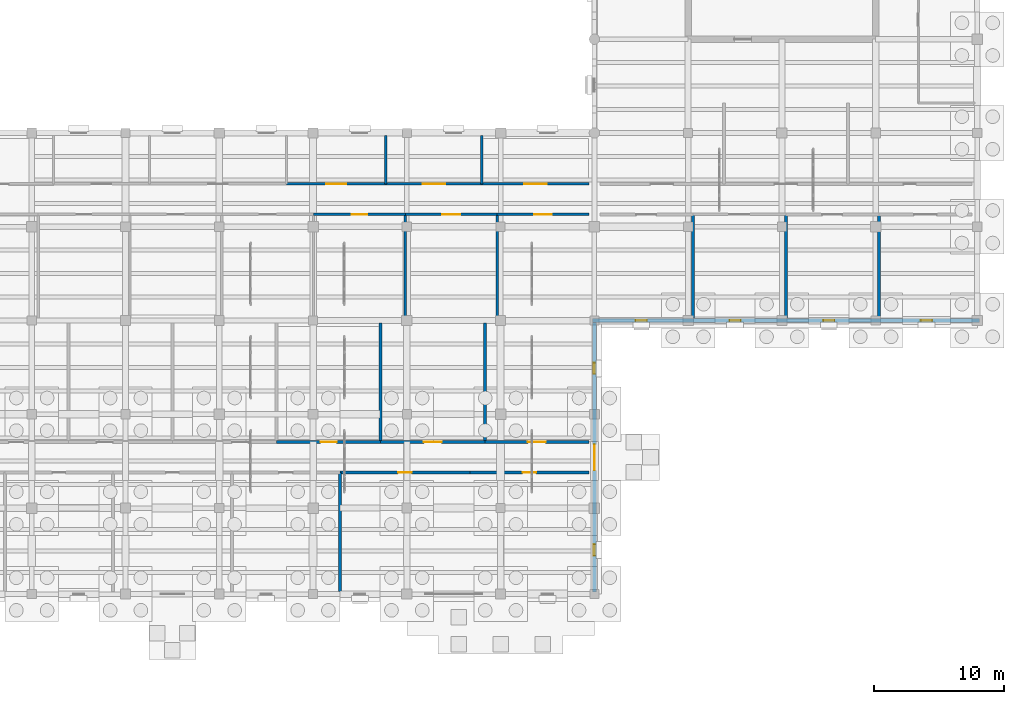
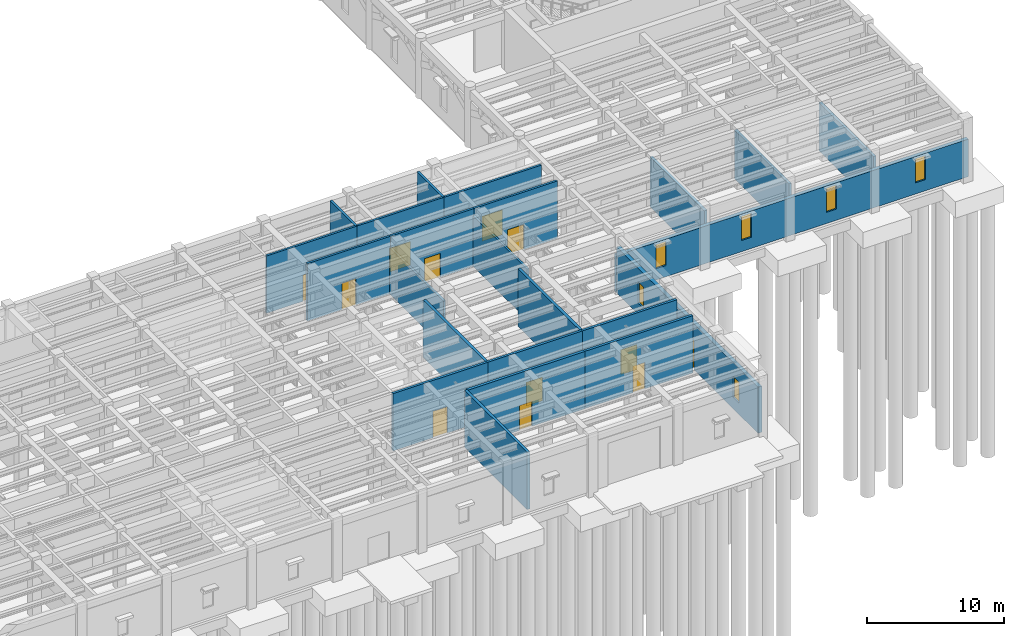
# One storey, part 81 of 100: 23 walls, 12 doors, 6 windows, 18 openings.
"""IFC4 building model written with IfcOpenShell, lengths in metres."""

from ifc_helpers import new_model, si_unit, direction, frame, frame_2d, origin, place, context, subcontext, project, spatial, rectangle, extrude, material, layer, layer_set, type_object, element, fill, save


model = new_model("IFC4")

# Units and contexts
model_context = context("Model", 3, precision=1e-05, world=origin(), true_north=direction((0.0, 1.0)))
body_context = subcontext(model_context, "Body", "Model", "MODEL_VIEW")
ifc_project = project(units=[si_unit("LENGTHUNIT", "METRE"), si_unit("AREAUNIT", "SQUARE_METRE"), si_unit("VOLUMEUNIT", "CUBIC_METRE"), si_unit("PLANEANGLEUNIT", "RADIAN"), si_unit("MASSUNIT", "GRAM", prefix="KILO")], contexts=[model_context])

# Site, building, storey
site_placement = place(None, origin())
site = spatial("IfcSite", under=ifc_project, at=site_placement, CompositionType="ELEMENT")
building_placement = place(site_placement, origin())
building = spatial("IfcBuilding", under=site, at=building_placement, Name="Mithqara Police Headquarters", CompositionType="ELEMENT")
storey_placement = place(building_placement, origin())
storey = spatial("IfcBuildingStorey", under=building, at=storey_placement, Name="L00", CompositionType="ELEMENT", Elevation=0.0)

# Wall, openings, door, windows
ifc_material_1 = material(Name="Limestone ashlar masonry, 45 MPa", Category="masonry")
ifc_layer_1 = layer(ifc_material_1, 0.320068359375, Name="Limestone ashlar masonry, 45 MPa")
ifc_layer_set_1 = layer_set([ifc_layer_1], Name="Limestone ashlar masonry, 45 MPa")
wall_type_1 = type_object("IfcWallType", Name="EXT WALL LIMESTONE320", PredefinedType="SOLIDWALL", material=ifc_layer_set_1)
wall_1_placement = place(storey_placement, frame((144.60009765625, 0.159912109375, 0.0), z_axis=(0.0, 0.0, 1.0), x_axis=(0.0, 1.0, 0.0)))
wall_1 = element("IfcWall", 1, at=wall_1_placement, inside=storey, type_object=wall_type_1, Name="L00 Exterior Wall 3.1", PredefinedType="SOLIDWALL", context=body_context, shape_type="SweptSolid", body=[
    extrude(rectangle(XDim=20.68017578125, YDim=0.320068359375, at=frame_2d((10.340087890625, 0.0))), origin(), (0.0, 0.0, 1.0), 4.1201171875),
])
opening_1_placement = place(wall_1_placement, frame((9.340087890625, 0.0, 0.0)))
opening_1 = element("IfcOpeningElement", 2, at=opening_1_placement, cuts=wall_1, Name="Opening ED-02", PredefinedType="OPENING", context=body_context, shape_type="SweptSolid", body=[
    extrude(rectangle(XDim=2.0, YDim=2.60009765625, at=frame_2d((1.0, 1.300048828125))), frame((0.0, 0.169921875, 0.0), z_axis=(0.0, -1.0, 0.0), x_axis=(1.0, 0.0, 0.0)), (0.0, 0.0, 1.0), 0.340087890625),
])
opening_2_placement = place(wall_1_placement, frame((2.794921875, 0.0, 1.0)))
opening_2 = element("IfcOpeningElement", 3, at=opening_2_placement, cuts=wall_1, Name="Opening W-03", PredefinedType="OPENING", context=body_context, shape_type="SweptSolid", body=[
    extrude(rectangle(XDim=0.85009765625, YDim=1.89990234375, at=frame_2d((0.425048828125, 0.949951171875))), frame((0.0, 0.169921875, 0.0), z_axis=(0.0, -1.0, 0.0), x_axis=(1.0, 0.0, 0.0)), (0.0, 0.0, 1.0), 0.340087890625),
])
opening_3_placement = place(wall_1_placement, frame((16.735107421875, 0.0, 1.0)))
opening_3 = element("IfcOpeningElement", 4, at=opening_3_placement, cuts=wall_1, Name="Opening W-03", PredefinedType="OPENING", context=body_context, shape_type="SweptSolid", body=[
    extrude(rectangle(XDim=0.85009765625, YDim=1.89990234375, at=frame_2d((0.425048828125, 0.949951171875))), frame((0.0, 0.169921875, 0.0), z_axis=(0.0, -1.0, 0.0), x_axis=(1.0, 0.0, 0.0)), (0.0, 0.0, 1.0), 0.340087890625),
])
ifc_material_2 = material(Name="Bronze anodised aluminium 6063-T6", Category="aluminium")
door_type_1 = type_object("IfcDoorType", Name="EXT DOOR MAIN 2000X2600", OperationType="DOUBLE_DOOR_SINGLE_SWING", PredefinedType="DOOR", material=ifc_material_2)
door_1_placement = place(opening_1_placement, frame((2.0, 0.0, 0.0), z_axis=(0.0, 0.0, 1.0), x_axis=(-1.0, 0.0, 0.0)))
door_1 = element("IfcDoor", 5, at=door_1_placement, inside=storey, type_object=door_type_1, Name="Ground Floor Final Exit Door 3", OperationType="DOUBLE_DOOR_SINGLE_SWING", OverallHeight=2.60009765625, OverallWidth=2.0, PredefinedType="DOOR", context=body_context, shape_type="SweptSolid", body=[
    extrude(rectangle(XDim=2.0, YDim=2.60009765625, at=frame_2d((1.0, 1.300048828125))), frame((0.0, 0.02490234375, 0.0), z_axis=(0.0, -1.0, 0.0), x_axis=(1.0, 0.0, 0.0)), (0.0, 0.0, 1.0), 0.050048828125),
])
fill(opening_1, door_1)
ifc_material_3 = material(Name="Spectrally selective double low-e glass", Category="glass")
window_type_1 = type_object("IfcWindowType", Name="WINDOW 850X1900", PartitioningType="SINGLE_PANEL", PredefinedType="WINDOW", material=ifc_material_3)
window_1_placement = place(opening_2_placement, origin())
window_1 = element("IfcWindow", 6, at=window_1_placement, inside=storey, type_object=window_type_1, Name="L00 Deep-Set Punched Window 3.1", OverallHeight=1.89990234375, OverallWidth=0.85009765625, PartitioningType="SINGLE_PANEL", PredefinedType="WINDOW", context=body_context, shape_type="SweptSolid", body=[
    extrude(rectangle(XDim=0.85009765625, YDim=1.89990234375, at=frame_2d((0.425048828125, 0.949951171875))), frame((0.0, 0.030029296875, 0.0), z_axis=(0.0, -1.0, 0.0), x_axis=(1.0, 0.0, 0.0)), (0.0, 0.0, 1.0), 0.06005859375),
])
fill(opening_2, window_1)
window_2_placement = place(opening_3_placement, origin())
window_2 = element("IfcWindow", 7, at=window_2_placement, inside=storey, type_object=window_type_1, Name="L00 Deep-Set Punched Window 3.3", OverallHeight=1.89990234375, OverallWidth=0.85009765625, PartitioningType="SINGLE_PANEL", PredefinedType="WINDOW", context=body_context, shape_type="SweptSolid", body=[
    extrude(rectangle(XDim=0.85009765625, YDim=1.89990234375, at=frame_2d((0.425048828125, 0.949951171875))), frame((0.0, 0.030029296875, 0.0), z_axis=(0.0, -1.0, 0.0), x_axis=(1.0, 0.0, 0.0)), (0.0, 0.0, 1.0), 0.06005859375),
])
fill(opening_3, window_2)

# Wall, openings, windows
wall_2_placement = place(storey_placement, frame((144.43994140625, 21.0, 0.0), z_axis=(0.0, 0.0, 1.0), x_axis=(1.0, 0.0, 0.0)))
wall_2 = element("IfcWall", 8, at=wall_2_placement, inside=storey, type_object=wall_type_1, Name="L00 Exterior Wall 4.1", PredefinedType="SOLIDWALL", context=body_context, shape_type="SweptSolid", body=[
    extrude(rectangle(XDim=29.719970703125, YDim=0.320068359375, at=frame_2d((14.85986328125, 0.0))), origin(), (0.0, 0.0, 1.0), 3.35009765625),
])
opening_4_placement = place(wall_2_placement, frame((3.3349609375, 0.0, 1.0)))
opening_4 = element("IfcOpeningElement", 9, at=opening_4_placement, cuts=wall_2, Name="Opening W-04", PredefinedType="OPENING", context=body_context, shape_type="SweptSolid", body=[
    extrude(rectangle(XDim=0.85009765625, YDim=2.14990234375, at=frame_2d((0.425048828125, 1.074951171875))), frame((0.0, 0.169921875, 0.0), z_axis=(0.0, -1.0, 0.0), x_axis=(1.0, 0.0, 0.0)), (0.0, 0.0, 1.0), 0.340087890625),
])
opening_5_placement = place(wall_2_placement, frame((10.534912109375, 0.0, 1.0)))
opening_5 = element("IfcOpeningElement", 10, at=opening_5_placement, cuts=wall_2, Name="Opening W-04", PredefinedType="OPENING", context=body_context, shape_type="SweptSolid", body=[
    extrude(rectangle(XDim=0.85009765625, YDim=2.14990234375, at=frame_2d((0.425048828125, 1.074951171875))), frame((0.0, 0.169921875, 0.0), z_axis=(0.0, -1.0, 0.0), x_axis=(1.0, 0.0, 0.0)), (0.0, 0.0, 1.0), 0.340087890625),
])
opening_6_placement = place(wall_2_placement, frame((17.735107421875, 0.0, 1.0)))
opening_6 = element("IfcOpeningElement", 11, at=opening_6_placement, cuts=wall_2, Name="Opening W-04", PredefinedType="OPENING", context=body_context, shape_type="SweptSolid", body=[
    extrude(rectangle(XDim=0.85009765625, YDim=2.14990234375, at=frame_2d((0.425048828125, 1.074951171875))), frame((0.0, 0.169921875, 0.0), z_axis=(0.0, -1.0, 0.0), x_axis=(1.0, 0.0, 0.0)), (0.0, 0.0, 1.0), 0.340087890625),
])
opening_7_placement = place(wall_2_placement, frame((25.235107421875, 0.0, 1.0)))
opening_7 = element("IfcOpeningElement", 12, at=opening_7_placement, cuts=wall_2, Name="Opening W-04", PredefinedType="OPENING", context=body_context, shape_type="SweptSolid", body=[
    extrude(rectangle(XDim=0.85009765625, YDim=2.14990234375, at=frame_2d((0.425048828125, 1.074951171875))), frame((0.0, 0.169921875, 0.0), z_axis=(0.0, -1.0, 0.0), x_axis=(1.0, 0.0, 0.0)), (0.0, 0.0, 1.0), 0.340087890625),
])
window_type_2 = type_object("IfcWindowType", Name="WINDOW 850X2150", PartitioningType="SINGLE_PANEL", PredefinedType="WINDOW", material=ifc_material_3)
window_3_placement = place(opening_4_placement, origin())
window_3 = element("IfcWindow", 13, at=window_3_placement, inside=storey, type_object=window_type_2, Name="L00 Deep-Set Punched Window 4.1", OverallHeight=2.14990234375, OverallWidth=0.85009765625, PartitioningType="SINGLE_PANEL", PredefinedType="WINDOW", context=body_context, shape_type="SweptSolid", body=[
    extrude(rectangle(XDim=0.85009765625, YDim=2.14990234375, at=frame_2d((0.425048828125, 1.074951171875))), frame((0.0, 0.030029296875, 0.0), z_axis=(0.0, -1.0, 0.0), x_axis=(1.0, 0.0, 0.0)), (0.0, 0.0, 1.0), 0.06005859375),
])
fill(opening_4, window_3)
window_4_placement = place(opening_5_placement, origin())
window_4 = element("IfcWindow", 14, at=window_4_placement, inside=storey, type_object=window_type_2, Name="L00 Deep-Set Punched Window 4.2", OverallHeight=2.14990234375, OverallWidth=0.85009765625, PartitioningType="SINGLE_PANEL", PredefinedType="WINDOW", context=body_context, shape_type="SweptSolid", body=[
    extrude(rectangle(XDim=0.85009765625, YDim=2.14990234375, at=frame_2d((0.425048828125, 1.074951171875))), frame((0.0, 0.030029296875, 0.0), z_axis=(0.0, -1.0, 0.0), x_axis=(1.0, 0.0, 0.0)), (0.0, 0.0, 1.0), 0.06005859375),
])
fill(opening_5, window_4)
window_5_placement = place(opening_6_placement, origin())
window_5 = element("IfcWindow", 15, at=window_5_placement, inside=storey, type_object=window_type_2, Name="L00 Deep-Set Punched Window 4.3", OverallHeight=2.14990234375, OverallWidth=0.85009765625, PartitioningType="SINGLE_PANEL", PredefinedType="WINDOW", context=body_context, shape_type="SweptSolid", body=[
    extrude(rectangle(XDim=0.85009765625, YDim=2.14990234375, at=frame_2d((0.425048828125, 1.074951171875))), frame((0.0, 0.030029296875, 0.0), z_axis=(0.0, -1.0, 0.0), x_axis=(1.0, 0.0, 0.0)), (0.0, 0.0, 1.0), 0.06005859375),
])
fill(opening_6, window_5)
window_6_placement = place(opening_7_placement, origin())
window_6 = element("IfcWindow", 16, at=window_6_placement, inside=storey, type_object=window_type_2, Name="L00 Deep-Set Punched Window 4.4", OverallHeight=2.14990234375, OverallWidth=0.85009765625, PartitioningType="SINGLE_PANEL", PredefinedType="WINDOW", context=body_context, shape_type="SweptSolid", body=[
    extrude(rectangle(XDim=0.85009765625, YDim=2.14990234375, at=frame_2d((0.425048828125, 1.074951171875))), frame((0.0, 0.030029296875, 0.0), z_axis=(0.0, -1.0, 0.0), x_axis=(1.0, 0.0, 0.0)), (0.0, 0.0, 1.0), 0.06005859375),
])
fill(opening_7, window_6)

# Wall, opening, door
ifc_material_4 = material(Name="Concrete C40/50", Category="concrete")
ifc_layer_2 = layer(ifc_material_4, 0.179931640625, Name="Concrete C40/50")
ifc_layer_set_2 = layer_set([ifc_layer_2], Name="Concrete C40/50")
wall_type_2 = type_object("IfcWallType", Name="PART WALL 180", PredefinedType="PARTITIONING", material=ifc_layer_set_2)
wall_3_placement = place(storey_placement, frame((123.0390625, 29.14990234375, 0.0), z_axis=(0.0, 0.0, 1.0), x_axis=(1.0, 0.0, 0.0)))
wall_3 = element("IfcWall", 17, at=wall_3_placement, inside=storey, type_object=wall_type_2, Name="L00 Corridor Wall Victim Support Consultation Room", PredefinedType="PARTITIONING", context=body_context, shape_type="SweptSolid", body=[
    extrude(rectangle(XDim=7.046875, YDim=0.179931640625, at=frame_2d((3.5234375, 0.0))), origin(), (0.0, 0.0, 1.0), 5.1201171875),
])
opening_8_placement = place(wall_3_placement, frame((2.91357421875, 0.0, 0.0)))
opening_8 = element("IfcOpeningElement", 18, at=opening_8_placement, cuts=wall_3, Name="Opening D-15", PredefinedType="OPENING", context=body_context, shape_type="SweptSolid", body=[
    extrude(rectangle(XDim=1.219970703125, YDim=2.35009765625, at=frame_2d((0.60986328125, 1.175048828125))), frame((0.0, 0.10009765625, 0.0), z_axis=(0.0, -1.0, 0.0), x_axis=(1.0, 0.0, 0.0)), (0.0, 0.0, 1.0), 0.199951171875),
])
ifc_material_5 = material(Name="Acoustic solid-core timber leaf", Category="wood")
door_type_2 = type_object("IfcDoorType", Name="INT DOOR 1220X2350", OperationType="NOTDEFINED", PredefinedType="DOOR", material=ifc_material_5)
door_2_placement = place(opening_8_placement, frame((1.219970703125, 0.0, 0.0), z_axis=(0.0, 0.0, 1.0), x_axis=(-1.0, 0.0, 0.0)))
door_2 = element("IfcDoor", 19, at=door_2_placement, inside=storey, type_object=door_type_2, Name="Victim Support Consultation Room Entry Door", OperationType="SINGLE_SWING_RIGHT", OverallHeight=2.35009765625, OverallWidth=1.219970703125, PredefinedType="DOOR", context=body_context, shape_type="SweptSolid", body=[
    extrude(rectangle(XDim=1.219970703125, YDim=2.35009765625, at=frame_2d((0.60986328125, 1.175048828125))), frame((0.0, 0.02490234375, 0.0), z_axis=(0.0, -1.0, 0.0), x_axis=(1.0, 0.0, 0.0)), (0.0, 0.0, 1.0), 0.050048828125),
])
fill(opening_8, door_2)

# Wall
wall_4_placement = place(storey_placement, frame((130.0859375, 21.179931640625, 0.0), z_axis=(0.0, 0.0, 1.0), x_axis=(0.0, 1.0, 0.0)))
element("IfcWall", 20, at=wall_4_placement, inside=storey, type_object=wall_type_2, Name="L00 Room Partition Victim Support Consultation Room", PredefinedType="PARTITIONING", context=body_context, shape_type="SweptSolid", body=[
    extrude(rectangle(XDim=7.969970703125, YDim=0.179931640625, at=frame_2d((3.98486328125, 0.0))), origin(), (0.0, 0.0, 1.0), 4.1201171875),
])

# Wall, opening, door
wall_5_placement = place(storey_placement, frame((130.0859375, 29.14990234375, 0.0), z_axis=(0.0, 0.0, 1.0), x_axis=(1.0, 0.0, 0.0)))
wall_5 = element("IfcWall", 21, at=wall_5_placement, inside=storey, type_object=wall_type_2, Name="L00 Corridor Wall Witness Reception Room", PredefinedType="PARTITIONING", context=body_context, shape_type="SweptSolid", body=[
    extrude(rectangle(XDim=7.047119140625, YDim=0.179931640625, at=frame_2d((3.5234375, 0.0))), origin(), (0.0, 0.0, 1.0), 5.1201171875),
])
opening_9_placement = place(wall_5_placement, frame((2.843505859375, 0.0, 0.0)))
opening_9 = element("IfcOpeningElement", 22, at=opening_9_placement, cuts=wall_5, Name="Opening D-16", PredefinedType="OPENING", context=body_context, shape_type="SweptSolid", body=[
    extrude(rectangle(XDim=1.360107421875, YDim=2.10009765625, at=frame_2d((0.68017578125, 1.050048828125))), frame((0.0, 0.10009765625, 0.0), z_axis=(0.0, -1.0, 0.0), x_axis=(1.0, 0.0, 0.0)), (0.0, 0.0, 1.0), 0.199951171875),
])
door_type_3 = type_object("IfcDoorType", Name="INT DOOR 1360X2100", OperationType="NOTDEFINED", PredefinedType="DOOR", material=ifc_material_2)
door_3_placement = place(opening_9_placement, frame((1.360107421875, 0.0, 0.0), z_axis=(0.0, 0.0, 1.0), x_axis=(-1.0, 0.0, 0.0)))
door_3 = element("IfcDoor", 23, at=door_3_placement, inside=storey, type_object=door_type_3, Name="Witness Reception Room Entry Door", OperationType="SINGLE_SWING_LEFT", OverallHeight=2.10009765625, OverallWidth=1.360107421875, PredefinedType="DOOR", context=body_context, shape_type="SweptSolid", body=[
    extrude(rectangle(XDim=1.360107421875, YDim=2.10009765625, at=frame_2d((0.68017578125, 1.050048828125))), frame((0.0, 0.02490234375, 0.0), z_axis=(0.0, -1.0, 0.0), x_axis=(1.0, 0.0, 0.0)), (0.0, 0.0, 1.0), 0.050048828125),
])
fill(opening_9, door_3)

# Wall
wall_6_placement = place(storey_placement, frame((137.133056640625, 21.179931640625, 0.0), z_axis=(0.0, 0.0, 1.0), x_axis=(0.0, 1.0, 0.0)))
element("IfcWall", 24, at=wall_6_placement, inside=storey, type_object=wall_type_2, Name="L00 Room Partition Witness Reception Room", PredefinedType="PARTITIONING", context=body_context, shape_type="SweptSolid", body=[
    extrude(rectangle(XDim=7.969970703125, YDim=0.179931640625, at=frame_2d((3.98486328125, 0.0))), origin(), (0.0, 0.0, 1.0), 4.52001953125),
])

# Wall, opening, door
wall_7_placement = place(storey_placement, frame((137.133056640625, 29.14990234375, 0.0), z_axis=(0.0, 0.0, 1.0), x_axis=(1.0, 0.0, 0.0)))
wall_7 = element("IfcWall", 25, at=wall_7_placement, inside=storey, type_object=wall_type_2, Name="L00 Corridor Wall Lost and Found Counter", PredefinedType="PARTITIONING", context=body_context, shape_type="SweptSolid", body=[
    extrude(rectangle(XDim=7.046875, YDim=0.179931640625, at=frame_2d((3.5234375, 0.0))), origin(), (0.0, 0.0, 1.0), 5.1201171875),
])
opening_10_placement = place(wall_7_placement, frame((2.843505859375, 0.0, 0.0)))
opening_10 = element("IfcOpeningElement", 26, at=opening_10_placement, cuts=wall_7, Name="Opening D-17", PredefinedType="OPENING", context=body_context, shape_type="SweptSolid", body=[
    extrude(rectangle(XDim=1.360107421875, YDim=2.219970703125, at=frame_2d((0.68017578125, 1.10986328125))), frame((0.0, 0.10009765625, 0.0), z_axis=(0.0, -1.0, 0.0), x_axis=(1.0, 0.0, 0.0)), (0.0, 0.0, 1.0), 0.199951171875),
])
door_type_4 = type_object("IfcDoorType", Name="INT DOOR 1360X2220", OperationType="NOTDEFINED", PredefinedType="DOOR", material=ifc_material_2)
door_4_placement = place(opening_10_placement, frame((1.360107421875, 0.0, 0.0), z_axis=(0.0, 0.0, 1.0), x_axis=(-1.0, 0.0, 0.0)))
door_4 = element("IfcDoor", 27, at=door_4_placement, inside=storey, type_object=door_type_4, Name="Lost and Found Counter Entry Door", OperationType="SINGLE_SWING_RIGHT", OverallHeight=2.219970703125, OverallWidth=1.360107421875, PredefinedType="DOOR", context=body_context, shape_type="SweptSolid", body=[
    extrude(rectangle(XDim=1.360107421875, YDim=2.219970703125, at=frame_2d((0.68017578125, 1.10986328125))), frame((0.0, 0.02490234375, 0.0), z_axis=(0.0, -1.0, 0.0), x_axis=(1.0, 0.0, 0.0)), (0.0, 0.0, 1.0), 0.050048828125),
])
fill(opening_10, door_4)

wall_8_placement = place(storey_placement, frame((120.965087890625, 31.489990234375, 0.0), z_axis=(0.0, 0.0, 1.0), x_axis=(1.0, 0.0, 0.0)))
wall_8 = element("IfcWall", 28, at=wall_8_placement, inside=storey, type_object=wall_type_2, Name="L00 Corridor Wall Victim Support Consultation Room", PredefinedType="PARTITIONING", context=body_context, shape_type="SweptSolid", body=[
    extrude(rectangle(XDim=7.621826171875, YDim=0.179931640625, at=frame_2d((3.81103515625, 0.0))), origin(), (0.0, 0.0, 1.0), 5.1201171875),
])
opening_11_placement = place(wall_8_placement, frame((3.051025390625, 0.0, 0.0)))
opening_11 = element("IfcOpeningElement", 29, at=opening_11_placement, cuts=wall_8, Name="Opening D-21", PredefinedType="OPENING", context=body_context, shape_type="SweptSolid", body=[
    extrude(rectangle(XDim=1.52001953125, YDim=2.35009765625, at=frame_2d((0.760009765625, 1.175048828125))), frame((0.0, 0.10009765625, 0.0), z_axis=(0.0, -1.0, 0.0), x_axis=(1.0, 0.0, 0.0)), (0.0, 0.0, 1.0), 0.199951171875),
])
door_type_5 = type_object("IfcDoorType", Name="INT DOOR 1520X2350", OperationType="NOTDEFINED", PredefinedType="DOOR", material=ifc_material_2)
door_5_placement = place(opening_11_placement, origin())
door_5 = element("IfcDoor", 30, at=door_5_placement, inside=storey, type_object=door_type_5, Name="Victim Support Consultation Room Entry Door", OperationType="DOUBLE_DOOR_SINGLE_SWING", OverallHeight=2.35009765625, OverallWidth=1.52001953125, PredefinedType="DOOR", context=body_context, shape_type="SweptSolid", body=[
    extrude(rectangle(XDim=1.52001953125, YDim=2.35009765625, at=frame_2d((0.760009765625, 1.175048828125))), frame((0.0, 0.02490234375, 0.0), z_axis=(0.0, -1.0, 0.0), x_axis=(1.0, 0.0, 0.0)), (0.0, 0.0, 1.0), 0.050048828125),
])
fill(opening_11, door_5)

# Wall
wall_9_placement = place(storey_placement, frame((128.5869140625, 31.489990234375, 0.0), z_axis=(0.0, 0.0, 1.0), x_axis=(0.0, 1.0, 0.0)))
element("IfcWall", 31, at=wall_9_placement, inside=storey, type_object=wall_type_2, Name="L00 Room Partition Victim Support Consultation Room", PredefinedType="PARTITIONING", context=body_context, shape_type="SweptSolid", body=[
    extrude(rectangle(XDim=3.72998046875, YDim=0.179931640625, at=frame_2d((1.864990234375, 0.0))), origin(), (0.0, 0.0, 1.0), 5.1201171875),
])

# Wall, opening, door
wall_10_placement = place(storey_placement, frame((128.5869140625, 31.489990234375, 0.0), z_axis=(0.0, 0.0, 1.0), x_axis=(1.0, 0.0, 0.0)))
wall_10 = element("IfcWall", 32, at=wall_10_placement, inside=storey, type_object=wall_type_2, Name="L00 Corridor Wall Witness Reception Room", PredefinedType="PARTITIONING", context=body_context, shape_type="SweptSolid", body=[
    extrude(rectangle(XDim=7.37109375, YDim=0.179931640625, at=frame_2d((3.685546875, 0.0))), origin(), (0.0, 0.0, 1.0), 5.1201171875),
])
opening_12_placement = place(wall_10_placement, frame((2.825439453125, 0.0, 0.0)))
opening_12 = element("IfcOpeningElement", 33, at=opening_12_placement, cuts=wall_10, Name="Opening D-22", PredefinedType="OPENING", context=body_context, shape_type="SweptSolid", body=[
    extrude(rectangle(XDim=1.719970703125, YDim=2.10009765625, at=frame_2d((0.85986328125, 1.050048828125))), frame((0.0, 0.10009765625, 0.0), z_axis=(0.0, -1.0, 0.0), x_axis=(1.0, 0.0, 0.0)), (0.0, 0.0, 1.0), 0.199951171875),
])
door_type_6 = type_object("IfcDoorType", Name="INT DOOR 1720X2100", OperationType="NOTDEFINED", PredefinedType="DOOR", material=ifc_material_2)
door_6_placement = place(opening_12_placement, origin())
door_6 = element("IfcDoor", 34, at=door_6_placement, inside=storey, type_object=door_type_6, Name="Witness Reception Room Entry Door", OperationType="DOUBLE_DOOR_SINGLE_SWING", OverallHeight=2.10009765625, OverallWidth=1.719970703125, PredefinedType="DOOR", context=body_context, shape_type="SweptSolid", body=[
    extrude(rectangle(XDim=1.719970703125, YDim=2.10009765625, at=frame_2d((0.85986328125, 1.050048828125))), frame((0.0, 0.02490234375, 0.0), z_axis=(0.0, -1.0, 0.0), x_axis=(1.0, 0.0, 0.0)), (0.0, 0.0, 1.0), 0.050048828125),
])
fill(opening_12, door_6)

# Wall
wall_11_placement = place(storey_placement, frame((135.9580078125, 31.489990234375, 0.0), z_axis=(0.0, 0.0, 1.0), x_axis=(0.0, 1.0, 0.0)))
element("IfcWall", 35, at=wall_11_placement, inside=storey, type_object=wall_type_2, Name="L00 Room Partition Witness Reception Room", PredefinedType="PARTITIONING", context=body_context, shape_type="SweptSolid", body=[
    extrude(rectangle(XDim=3.72998046875, YDim=0.179931640625, at=frame_2d((1.864990234375, 0.0))), origin(), (0.0, 0.0, 1.0), 5.1201171875),
])

# Wall, opening, door
wall_12_placement = place(storey_placement, frame((135.9580078125, 31.489990234375, 0.0), z_axis=(0.0, 0.0, 1.0), x_axis=(1.0, 0.0, 0.0)))
wall_12 = element("IfcWall", 36, at=wall_12_placement, inside=storey, type_object=wall_type_2, Name="L00 Corridor Wall Lost and Found Counter", PredefinedType="PARTITIONING", context=body_context, shape_type="SweptSolid", body=[
    extrude(rectangle(XDim=8.221923828125, YDim=0.179931640625, at=frame_2d((4.11083984375, 0.0))), origin(), (0.0, 0.0, 1.0), 5.1201171875),
])
opening_13_placement = place(wall_12_placement, frame((3.2509765625, 0.0, 0.0)))
opening_13 = element("IfcOpeningElement", 37, at=opening_13_placement, cuts=wall_12, Name="Opening D-23", PredefinedType="OPENING", context=body_context, shape_type="SweptSolid", body=[
    extrude(rectangle(XDim=1.719970703125, YDim=2.219970703125, at=frame_2d((0.85986328125, 1.10986328125))), frame((0.0, 0.10009765625, 0.0), z_axis=(0.0, -1.0, 0.0), x_axis=(1.0, 0.0, 0.0)), (0.0, 0.0, 1.0), 0.199951171875),
])
door_type_7 = type_object("IfcDoorType", Name="INT DOOR 1720X2220", OperationType="NOTDEFINED", PredefinedType="DOOR", material=ifc_material_2)
door_7_placement = place(opening_13_placement, origin())
door_7 = element("IfcDoor", 38, at=door_7_placement, inside=storey, type_object=door_type_7, Name="Lost and Found Counter Entry Door", OperationType="DOUBLE_DOOR_SINGLE_SWING", OverallHeight=2.219970703125, OverallWidth=1.719970703125, PredefinedType="DOOR", context=body_context, shape_type="SweptSolid", body=[
    extrude(rectangle(XDim=1.719970703125, YDim=2.219970703125, at=frame_2d((0.85986328125, 1.10986328125))), frame((0.0, 0.02490234375, 0.0), z_axis=(0.0, -1.0, 0.0), x_axis=(1.0, 0.0, 0.0)), (0.0, 0.0, 1.0), 0.050048828125),
])
fill(opening_13, door_7)

ifc_layer_3 = layer(ifc_material_4, 0.2099609375, Name="Concrete C40/50")
ifc_layer_set_3 = layer_set([ifc_layer_3], Name="Concrete C40/50")
wall_type_3 = type_object("IfcWallType", Name="PART WALL 210", PredefinedType="PARTITIONING", material=ifc_layer_set_3)
wall_13_placement = place(storey_placement, frame((135.04296875, 9.330078125, 0.0), z_axis=(0.0, 0.0, 1.0), x_axis=(1.0, 0.0, 0.0)))
wall_13 = element("IfcWall", 39, at=wall_13_placement, inside=storey, type_object=wall_type_3, Name="L00 Corridor Wall Custody Escort Lobby", PredefinedType="PARTITIONING", context=body_context, shape_type="SweptSolid", body=[
    extrude(rectangle(XDim=9.136962890625, YDim=0.2099609375, at=frame_2d((4.568359375, 0.0))), origin(), (0.0, 0.0, 1.0), 5.1201171875),
])
opening_14_placement = place(wall_13_placement, frame((4.048583984375, 0.0, 0.0)))
opening_14 = element("IfcOpeningElement", 40, at=opening_14_placement, cuts=wall_13, Name="Opening D-09", PredefinedType="OPENING", context=body_context, shape_type="SweptSolid", body=[
    extrude(rectangle(XDim=1.0400390625, YDim=2.35009765625, at=frame_2d((0.52001953125, 1.175048828125))), frame((0.0, 0.114990234375, 0.0), z_axis=(0.0, -1.0, 0.0), x_axis=(1.0, 0.0, 0.0)), (0.0, 0.0, 1.0), 0.22998046875),
])
door_type_8 = type_object("IfcDoorType", Name="INT DOOR 1040X2350", OperationType="NOTDEFINED", PredefinedType="DOOR", material=ifc_material_5)
door_8_placement = place(opening_14_placement, frame((1.0400390625, 0.0, 0.0), z_axis=(0.0, 0.0, 1.0), x_axis=(-1.0, 0.0, 0.0)))
door_8 = element("IfcDoor", 41, at=door_8_placement, inside=storey, type_object=door_type_8, Name="Custody Escort Lobby Entry Door", OperationType="SINGLE_SWING_RIGHT", OverallHeight=2.35009765625, OverallWidth=1.0400390625, PredefinedType="DOOR", context=body_context, shape_type="SweptSolid", body=[
    extrude(rectangle(XDim=1.0400390625, YDim=2.35009765625, at=frame_2d((0.52001953125, 1.175048828125))), frame((0.0, 0.02490234375, 0.0), z_axis=(0.0, -1.0, 0.0), x_axis=(1.0, 0.0, 0.0)), (0.0, 0.0, 1.0), 0.050048828125),
])
fill(opening_14, door_8)

wall_14_placement = place(storey_placement, frame((120.195068359375, 11.669921875, 0.0), z_axis=(0.0, 0.0, 1.0), x_axis=(1.0, 0.0, 0.0)))
wall_14 = element("IfcWall", 42, at=wall_14_placement, inside=storey, type_object=wall_type_3, Name="L00 Corridor Wall Custody Escort Lobby", PredefinedType="PARTITIONING", context=body_context, shape_type="SweptSolid", body=[
    extrude(rectangle(XDim=7.994873046875, YDim=0.2099609375, at=frame_2d((3.99755859375, 0.0))), origin(), (0.0, 0.0, 1.0), 5.1201171875),
])
opening_15_placement = place(wall_14_placement, frame((3.387451171875, 0.0, 0.0)))
opening_15 = element("IfcOpeningElement", 43, at=opening_15_placement, cuts=wall_14, Name="Opening D-15", PredefinedType="OPENING", context=body_context, shape_type="SweptSolid", body=[
    extrude(rectangle(XDim=1.219970703125, YDim=2.35009765625, at=frame_2d((0.60986328125, 1.175048828125))), frame((0.0, 0.114990234375, 0.0), z_axis=(0.0, -1.0, 0.0), x_axis=(1.0, 0.0, 0.0)), (0.0, 0.0, 1.0), 0.22998046875),
])
door_9_placement = place(opening_15_placement, origin())
door_9 = element("IfcDoor", 44, at=door_9_placement, inside=storey, type_object=door_type_2, Name="Custody Escort Lobby Entry Door", OperationType="SINGLE_SWING_RIGHT", OverallHeight=2.35009765625, OverallWidth=1.219970703125, PredefinedType="DOOR", context=body_context, shape_type="SweptSolid", body=[
    extrude(rectangle(XDim=1.219970703125, YDim=2.35009765625, at=frame_2d((0.60986328125, 1.175048828125))), frame((0.0, 0.02490234375, 0.0), z_axis=(0.0, -1.0, 0.0), x_axis=(1.0, 0.0, 0.0)), (0.0, 0.0, 1.0), 0.050048828125),
])
fill(opening_15, door_9)

wall_15_placement = place(storey_placement, frame((128.18994140625, 11.669921875, 0.0), z_axis=(0.0, 0.0, 1.0), x_axis=(1.0, 0.0, 0.0)))
wall_15 = element("IfcWall", 45, at=wall_15_placement, inside=storey, type_object=wall_type_3, Name="L00 Corridor Wall Custody Suite", PredefinedType="PARTITIONING", context=body_context, shape_type="SweptSolid", body=[
    extrude(rectangle(XDim=7.9951171875, YDim=0.2099609375, at=frame_2d((3.99755859375, 0.0))), origin(), (0.0, 0.0, 1.0), 5.1201171875),
])
opening_16_placement = place(wall_15_placement, frame((3.3173828125, 0.0, 0.0)))
opening_16 = element("IfcOpeningElement", 46, at=opening_16_placement, cuts=wall_15, Name="Opening D-16", PredefinedType="OPENING", context=body_context, shape_type="SweptSolid", body=[
    extrude(rectangle(XDim=1.360107421875, YDim=2.10009765625, at=frame_2d((0.68017578125, 1.050048828125))), frame((0.0, 0.114990234375, 0.0), z_axis=(0.0, -1.0, 0.0), x_axis=(1.0, 0.0, 0.0)), (0.0, 0.0, 1.0), 0.22998046875),
])
door_10_placement = place(opening_16_placement, origin())
door_10 = element("IfcDoor", 47, at=door_10_placement, inside=storey, type_object=door_type_3, Name="Custody Suite Entry Door", OperationType="SINGLE_SWING_LEFT", OverallHeight=2.10009765625, OverallWidth=1.360107421875, PredefinedType="DOOR", context=body_context, shape_type="SweptSolid", body=[
    extrude(rectangle(XDim=1.360107421875, YDim=2.10009765625, at=frame_2d((0.68017578125, 1.050048828125))), frame((0.0, 0.02490234375, 0.0), z_axis=(0.0, -1.0, 0.0), x_axis=(1.0, 0.0, 0.0)), (0.0, 0.0, 1.0), 0.050048828125),
])
fill(opening_16, door_10)

wall_16_placement = place(storey_placement, frame((136.18505859375, 11.669921875, 0.0), z_axis=(0.0, 0.0, 1.0), x_axis=(1.0, 0.0, 0.0)))
wall_16 = element("IfcWall", 48, at=wall_16_placement, inside=storey, type_object=wall_type_3, Name="L00 Corridor Wall Custody Booking Desk", PredefinedType="PARTITIONING", context=body_context, shape_type="SweptSolid", body=[
    extrude(rectangle(XDim=7.994873046875, YDim=0.2099609375, at=frame_2d((3.99755859375, 0.0))), origin(), (0.0, 0.0, 1.0), 5.1201171875),
])
opening_17_placement = place(wall_16_placement, frame((3.3173828125, 0.0, 0.0)))
opening_17 = element("IfcOpeningElement", 49, at=opening_17_placement, cuts=wall_16, Name="Opening D-17", PredefinedType="OPENING", context=body_context, shape_type="SweptSolid", body=[
    extrude(rectangle(XDim=1.360107421875, YDim=2.219970703125, at=frame_2d((0.68017578125, 1.10986328125))), frame((0.0, 0.114990234375, 0.0), z_axis=(0.0, -1.0, 0.0), x_axis=(1.0, 0.0, 0.0)), (0.0, 0.0, 1.0), 0.22998046875),
])
door_11_placement = place(opening_17_placement, origin())
door_11 = element("IfcDoor", 50, at=door_11_placement, inside=storey, type_object=door_type_4, Name="Custody Booking Desk Entry Door", OperationType="SINGLE_SWING_RIGHT", OverallHeight=2.219970703125, OverallWidth=1.360107421875, PredefinedType="DOOR", context=body_context, shape_type="SweptSolid", body=[
    extrude(rectangle(XDim=1.360107421875, YDim=2.219970703125, at=frame_2d((0.68017578125, 1.10986328125))), frame((0.0, 0.02490234375, 0.0), z_axis=(0.0, -1.0, 0.0), x_axis=(1.0, 0.0, 0.0)), (0.0, 0.0, 1.0), 0.050048828125),
])
fill(opening_17, door_11)

# Walls
ifc_layer_4 = layer(ifc_material_4, 0.22998046875, Name="Concrete C40/50")
ifc_layer_set_4 = layer_set([ifc_layer_4], Name="Concrete C40/50")
wall_type_4 = type_object("IfcWallType", Name="PART WALL 230", PredefinedType="PARTITIONING", material=ifc_layer_set_4)
wall_17_placement = place(storey_placement, frame((152.159912109375, 21.179931640625, 0.0), z_axis=(0.0, 0.0, 1.0), x_axis=(0.0, 1.0, 0.0)))
element("IfcWall", 51, at=wall_17_placement, inside=storey, type_object=wall_type_4, Name="L00 Room Partition Forensic Evidence Intake", PredefinedType="PARTITIONING", context=body_context, shape_type="SweptSolid", body=[
    extrude(rectangle(XDim=7.969970703125, YDim=0.22998046875, at=frame_2d((3.98486328125, 0.0))), origin(), (0.0, 0.0, 1.0), 4.469970703125),
])
wall_18_placement = place(storey_placement, frame((159.300048828125, 21.179931640625, 0.0), z_axis=(0.0, 0.0, 1.0), x_axis=(0.0, 1.0, 0.0)))
element("IfcWall", 52, at=wall_18_placement, inside=storey, type_object=wall_type_4, Name="L00 Room Partition Chain of Custody Vault", PredefinedType="PARTITIONING", context=body_context, shape_type="SweptSolid", body=[
    extrude(rectangle(XDim=7.969970703125, YDim=0.22998046875, at=frame_2d((3.98486328125, 0.0))), origin(), (0.0, 0.0, 1.0), 4.3701171875),
])
wall_19_placement = place(storey_placement, frame((166.43994140625, 21.179931640625, 0.0), z_axis=(0.0, 0.0, 1.0), x_axis=(0.0, 1.0, 0.0)))
element("IfcWall", 53, at=wall_19_placement, inside=storey, type_object=wall_type_4, Name="L00 Room Partition Crime Scene Kit Preparation Room", PredefinedType="PARTITIONING", context=body_context, shape_type="SweptSolid", body=[
    extrude(rectangle(XDim=7.969970703125, YDim=0.22998046875, at=frame_2d((3.98486328125, 0.0))), origin(), (0.0, 0.0, 1.0), 4.320068359375),
])
wall_20_placement = place(storey_placement, frame((125.055908203125, 0.179931640625, 0.0), z_axis=(0.0, 0.0, 1.0), x_axis=(0.0, 1.0, 0.0)))
element("IfcWall", 54, at=wall_20_placement, inside=storey, type_object=wall_type_4, Name="L00 Room Partition Custody Property Intake", PredefinedType="PARTITIONING", context=body_context, shape_type="SweptSolid", body=[
    extrude(rectangle(XDim=9.150146484375, YDim=0.22998046875, at=frame_2d((4.5751953125, 0.0))), origin(), (0.0, 0.0, 1.0), 5.1201171875),
])

# Wall, opening, door
wall_21_placement = place(storey_placement, frame((125.055908203125, 9.330078125, 0.0), z_axis=(0.0, 0.0, 1.0), x_axis=(1.0, 0.0, 0.0)))
wall_21 = element("IfcWall", 55, at=wall_21_placement, inside=storey, type_object=wall_type_4, Name="L00 Corridor Wall Sally Port Vehicle Dock", PredefinedType="PARTITIONING", context=body_context, shape_type="SweptSolid", body=[
    extrude(rectangle(XDim=9.987060546875, YDim=0.22998046875, at=frame_2d((4.99365234375, 0.0))), origin(), (0.0, 0.0, 1.0), 5.1201171875),
])
opening_18_placement = place(wall_21_placement, frame((4.473388671875, 0.0, 0.0)))
opening_18 = element("IfcOpeningElement", 56, at=opening_18_placement, cuts=wall_21, Name="Opening D-08", PredefinedType="OPENING", context=body_context, shape_type="SweptSolid", body=[
    extrude(rectangle(XDim=1.0400390625, YDim=2.219970703125, at=frame_2d((0.52001953125, 1.10986328125))), frame((0.0, 0.125, 0.0), z_axis=(0.0, -1.0, 0.0), x_axis=(1.0, 0.0, 0.0)), (0.0, 0.0, 1.0), 0.25),
])
door_type_9 = type_object("IfcDoorType", Name="INT DOOR 1040X2220", OperationType="NOTDEFINED", PredefinedType="DOOR", material=ifc_material_5)
door_12_placement = place(opening_18_placement, frame((1.0400390625, 0.0, 0.0), z_axis=(0.0, 0.0, 1.0), x_axis=(-1.0, 0.0, 0.0)))
door_12 = element("IfcDoor", 57, at=door_12_placement, inside=storey, type_object=door_type_9, Name="Sally Port Vehicle Dock Entry Door", OperationType="SINGLE_SWING_LEFT", OverallHeight=2.219970703125, OverallWidth=1.0400390625, PredefinedType="DOOR", context=body_context, shape_type="SweptSolid", body=[
    extrude(rectangle(XDim=1.0400390625, YDim=2.219970703125, at=frame_2d((0.52001953125, 1.10986328125))), frame((0.0, 0.02490234375, 0.0), z_axis=(0.0, -1.0, 0.0), x_axis=(1.0, 0.0, 0.0)), (0.0, 0.0, 1.0), 0.050048828125),
])
fill(opening_18, door_12)

# Walls
for number, where, z_axis, x_axis, name in (
    (58, (128.18994140625, 11.669921875, 0.0), (0.0, 0.0, 1.0), (0.0, 1.0, 0.0), "L00 Room Partition Custody Escort Lobby"),
    (59, (136.18505859375, 11.669921875, 0.0), (0.0, 0.0, 1.0), (0.0, 1.0, 0.0), "L00 Room Partition Custody Suite"),
):
    element("IfcWall", number, at=place(storey_placement, frame(where, z_axis=z_axis, x_axis=x_axis)), inside=storey, type_object=wall_type_4, Name=name, PredefinedType="PARTITIONING", context=body_context, shape_type="SweptSolid", body=[
        extrude(rectangle(XDim=9.150146484375, YDim=0.22998046875, at=frame_2d((4.5751953125, 0.0))), origin(), (0.0, 0.0, 1.0), 5.1201171875),
    ])

save(model, "model.ifc")
